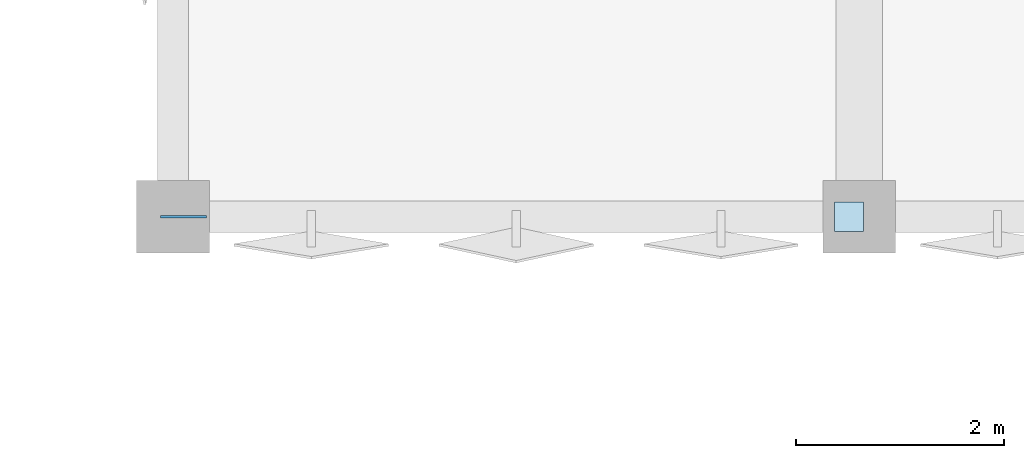
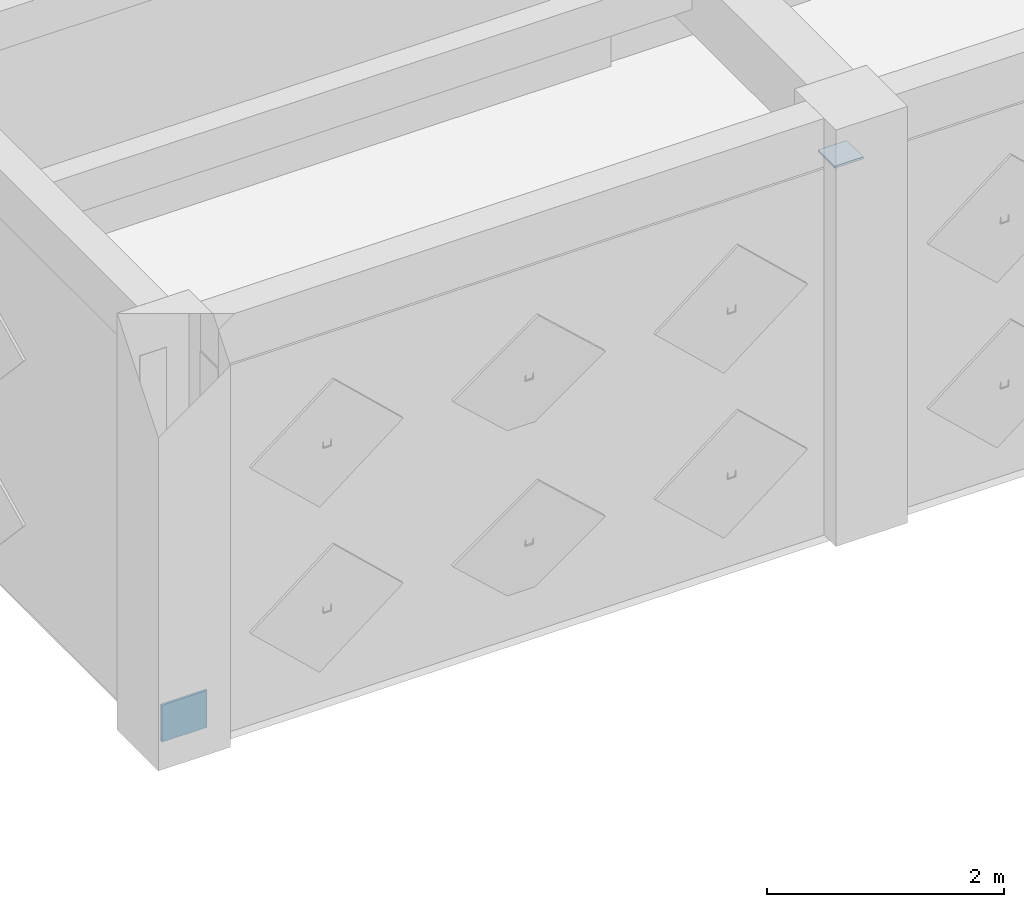
# One storey, part 63 of 80: 2 plates.
"""IFC4 building model written with IfcOpenShell, lengths in metres."""

from ifc_helpers import new_model, si_unit, direction, frame, origin, origin_2d, place, context, subcontext, project, spatial, rectangle, extrude, material, layer, layer_set, type_object, element, save


model = new_model("IFC4")

# Units and contexts
model_context = context("Model", 3, precision=1e-05, world=origin(), true_north=direction((0.0, 1.0)))
body_context = subcontext(model_context, "Body", "Model", "MODEL_VIEW")
ifc_project = project(units=[si_unit("LENGTHUNIT", "METRE"), si_unit("AREAUNIT", "SQUARE_METRE"), si_unit("VOLUMEUNIT", "CUBIC_METRE"), si_unit("PLANEANGLEUNIT", "RADIAN"), si_unit("MASSUNIT", "GRAM", prefix="KILO")], contexts=[model_context])

# Site, building, storey
site_placement = place(None, origin())
site = spatial("IfcSite", under=ifc_project, at=site_placement, CompositionType="ELEMENT")
building_placement = place(site_placement, origin())
building = spatial("IfcBuilding", under=site, at=building_placement, Name="Kharisveld Research Institute", CompositionType="ELEMENT")
storey_placement = place(building_placement, frame((0.0, 0.0, 5.10009765625)))
storey = spatial("IfcBuildingStorey", under=building, at=storey_placement, Name="L01", CompositionType="ELEMENT", Elevation=5.10009765625)

# Plates
ifc_material_1 = material(Name="Steel S355JR", Category="steel")
ifc_layer_1 = layer(ifc_material_1, 0.02197265625)
ifc_layer_set_1 = layer_set([ifc_layer_1], Name="PL_CAP_C")
plate_type_1 = type_object("IfcPlateType", Name="PL_CAP_C", PredefinedType="SHEET", material=ifc_layer_set_1)
plate_1_placement = place(storey_placement, frame((121.10009765625, 39.199951171875, 3.72900390625), z_axis=(0.0, 0.0, 1.0), x_axis=(1.0, 0.0, 0.0)))
element("IfcPlate", 1, at=plate_1_placement, inside=storey, type_object=plate_type_1, Name="PLT:V2:L01:CAP_0_0", PredefinedType="SHEET", context=body_context, shape_type="SweptSolid", body=[
    extrude(rectangle(XDim=0.280029296875, YDim=0.280029296875, at=origin_2d()), origin(), (0.0, 0.0, 1.0), 0.02197265625),
])
ifc_material_2 = material(Name="Steel S355JR", Category="steel")
ifc_layer_2 = layer(ifc_material_2, 0.02392578125)
ifc_layer_set_2 = layer_set([ifc_layer_2], Name="PL_GUS_C")
plate_type_2 = type_object("IfcPlateType", Name="PL_GUS_C", PredefinedType="USERDEFINED", material=ifc_layer_set_2)
plate_2_placement = place(storey_placement, frame((114.699951171875, 39.199951171875, 0.010009765625), z_axis=(0.0, 0.0, 1.0), x_axis=(1.0, 0.0, 0.0)))
element("IfcPlate", 2, at=plate_2_placement, inside=storey, type_object=plate_type_2, Name="PLT:V2:L01:GUS_0_0", ObjectType="GUSSET PLATE", PredefinedType="USERDEFINED", context=body_context, shape_type="SweptSolid", body=[
    extrude(rectangle(XDim=0.43994140625, YDim=0.02392578125, at=origin_2d()), origin(), (0.0, 0.0, 1.0), 0.3798828125),
])

save(model, "model.ifc")
